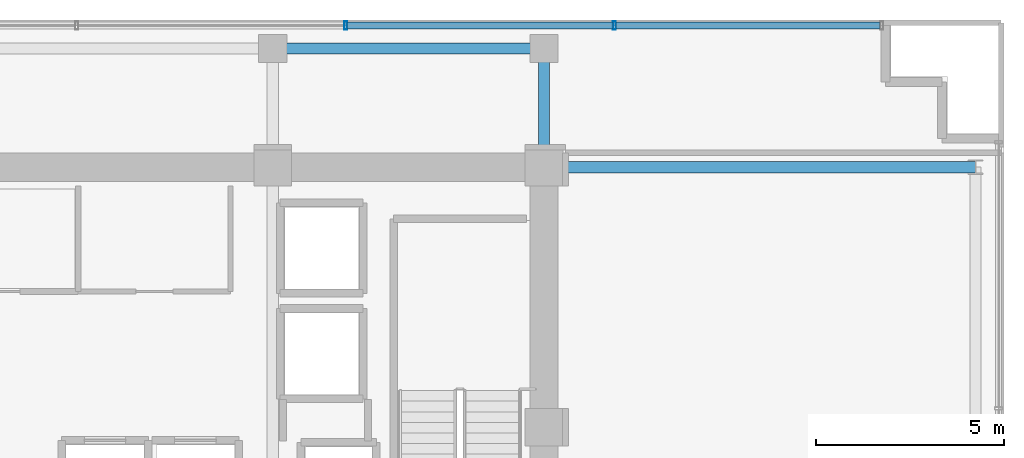
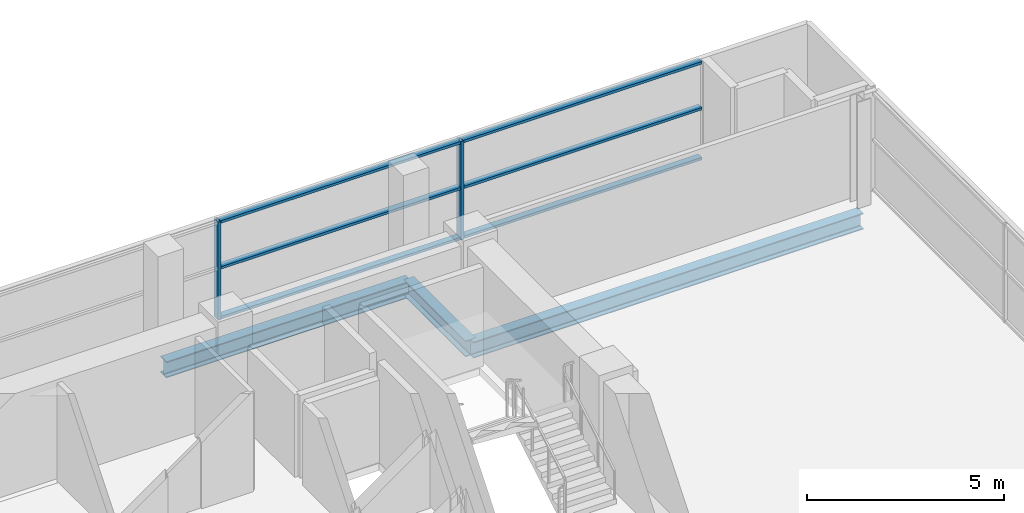
# One storey, part 12 of 22: 8 members, 3 beams, 1 element without a shape of its own.
"""IFC4 building model written with IfcOpenShell, lengths in metres."""

from ifc_helpers import new_model, si_unit, direction, frame, origin, origin_2d, place, context, subcontext, project, spatial, hollow_rectangle, i_section, extrude, source, transform, mapped, material, layer, layer_set, material_profile, profile_set, type_object, element, aggregate, save


model = new_model("IFC4")

# Units and contexts
model_context = context("Model", 3, precision=1e-05, world=origin(), true_north=direction((0.0, 1.0)))
body_context = subcontext(model_context, "Body", "Model", "MODEL_VIEW")
ifc_project = project(units=[si_unit("LENGTHUNIT", "METRE"), si_unit("AREAUNIT", "SQUARE_METRE"), si_unit("VOLUMEUNIT", "CUBIC_METRE"), si_unit("PLANEANGLEUNIT", "RADIAN"), si_unit("MASSUNIT", "GRAM", prefix="KILO")], contexts=[model_context])

# Site, building, storey
site_placement = place(None, origin())
site = spatial("IfcSite", under=ifc_project, at=site_placement, CompositionType="ELEMENT")
building_placement = place(site_placement, origin())
building = spatial("IfcBuilding", under=site, at=building_placement, Name="Zarnakvel Exchange Tower", CompositionType="ELEMENT")
storey_placement = place(building_placement, frame((0.0, 0.0, 179.199951171875)))
storey = spatial("IfcBuildingStorey", under=building, at=storey_placement, Name="L50", CompositionType="ELEMENT", Elevation=179.199951171875)

# Beams
ifc_material_1 = material(Name="Steel S355", Category="steel")
ifc_material_profile_1 = material_profile(ifc_material_1, i_section(OverallWidth=0.300048828125, OverallDepth=0.5, WebThickness=0.014404296875, FlangeThickness=0.028076171875, FilletRadius=0.027099609375, at=origin_2d()))
ifc_profile_set_1 = profile_set([ifc_material_profile_1], Name="Steel S355")
beam_type_1 = type_object("IfcBeamType", Name="G-06", PredefinedType="BEAM", material=ifc_profile_set_1)
beam_1_placement = place(storey_placement, frame((14.39990234375, 13.5, -0.474853515625), z_axis=(1.0, 0.0, 0.0), x_axis=(0.0, 1.0, 0.0)))
element("IfcBeam", 1, at=beam_1_placement, inside=storey, type_object=beam_type_1, Name="L50 Tower E-W Frame Beam", PredefinedType="BEAM", context=body_context, shape_type="SweptSolid", body=[
    extrude(i_section(OverallWidth=0.300048828125, OverallDepth=0.5, WebThickness=0.014404296875, FlangeThickness=0.028076171875, FilletRadius=0.027099609375, at=origin_2d()), origin(), (0.0, 0.0, 1.0), 11.4501953125),
])
beam_2_placement = place(storey_placement, frame((14.39990234375, 13.5, -0.474853515625), z_axis=(0.0, 1.0, 0.0), x_axis=(-1.0, 0.0, 0.0)))
element("IfcBeam", 2, at=beam_2_placement, inside=storey, type_object=beam_type_1, Name="L50 Tower N-S Frame Beam", PredefinedType="BEAM", context=body_context, shape_type="SweptSolid", body=[
    extrude(i_section(OverallWidth=0.300048828125, OverallDepth=0.5, WebThickness=0.014404296875, FlangeThickness=0.028076171875, FilletRadius=0.027099609375, at=origin_2d()), origin(), (0.0, 0.0, 1.0), 3.14990234375),
])
ifc_material_profile_2 = material_profile(ifc_material_1, i_section(OverallWidth=0.300048828125, OverallDepth=0.5, WebThickness=0.014404296875, FlangeThickness=0.028076171875, FilletRadius=0.027099609375, at=origin_2d()))
ifc_profile_set_2 = profile_set([ifc_material_profile_2], Name="Steel S355")
beam_type_2 = type_object("IfcBeamType", Name="SP-02", PredefinedType="SPANDREL", material=ifc_profile_set_2)
beam_3_placement = place(storey_placement, frame((7.199951171875, 16.64990234375, -0.474853515625), z_axis=(1.0, 0.0, 0.0), x_axis=(0.0, 1.0, 0.0)))
element("IfcBeam", 3, at=beam_3_placement, inside=storey, type_object=beam_type_2, Name="L50 Tower E-W Frame Beam", PredefinedType="SPANDREL", context=body_context, shape_type="SweptSolid", body=[
    extrude(i_section(OverallWidth=0.300048828125, OverallDepth=0.5, WebThickness=0.014404296875, FlangeThickness=0.028076171875, FilletRadius=0.027099609375, at=origin_2d()), origin(), (0.0, 0.0, 1.0), 7.199951171875),
])

# Curtain wall, members
ifc_material_2 = material(Name="Architectural Bronze Anodised Aluminium", Category="aluminium")
ifc_layer = layer(ifc_material_2, 0.219970703125)
ifc_layer_set = layer_set([ifc_layer], Name="Architectural Bronze Anodised Aluminium")
curtain_wall_type = type_object("IfcCurtainWallType", Name="CW-03", PredefinedType="NOTDEFINED", material=ifc_layer_set)
curtain_wall_placement = place(storey_placement, origin())
curtain_wall = element("IfcCurtainWall", 4, at=curtain_wall_placement, inside=storey, type_object=curtain_wall_type, Name="L50 Curtain Wall CW-L50-N1 (CW-03)", PredefinedType="NOTDEFINED")
ifc_material_profile_3 = material_profile(ifc_material_2, hollow_rectangle(XDim=0.219970703125, YDim=0.080078125, WallThickness=0.0048828125, at=origin_2d()))
ifc_profile_set_3 = profile_set([ifc_material_profile_3], Name="Architectural Bronze Anodised Aluminium")
member_type_1 = type_object("IfcMemberType", Name="CWM-03", PredefinedType="MULLION", material=ifc_profile_set_3)
shared_shape_1 = source(origin(), body_context, "Body", "SweptSolid", [
    extrude(hollow_rectangle(XDim=0.219970703125, YDim=0.080078125, WallThickness=0.0048828125, at=origin_2d()), origin(), (0.0, 0.0, 1.0), 3.054931640625),
])
member_1_placement = place(storey_placement, frame((9.13330078125, 17.260009765625, 0.0), z_axis=(0.0, 0.0, 1.0), x_axis=(0.0, 1.0, 0.0)))
member_1 = element("IfcMember", 5, at=member_1_placement, type_object=member_type_1, Name="CW-03 mullion 5", PredefinedType="MULLION", context=body_context, shape_type="MappedRepresentation", body=[
    mapped(shared_shape_1, transform((0.0, 0.0, 0.0), x_axis=(1.0, 0.0, 0.0), y_axis=(0.0, 1.0, 0.0), z_axis=(0.0, 0.0, 1.0), scale=1.0)),
])
member_2_placement = place(storey_placement, frame((16.2666015625, 17.260009765625, 0.0), z_axis=(0.0, 0.0, 1.0), x_axis=(0.0, 1.0, 0.0)))
member_2 = element("IfcMember", 6, at=member_2_placement, type_object=member_type_1, Name="CW-03 mullion 6", PredefinedType="MULLION", context=body_context, shape_type="MappedRepresentation", body=[
    mapped(shared_shape_1, transform((0.0, 0.0, 0.0), x_axis=(1.0, 0.0, 0.0), y_axis=(0.0, 1.0, 0.0), z_axis=(0.0, 0.0, 1.0), scale=1.0)),
])
ifc_material_profile_4 = material_profile(ifc_material_2, hollow_rectangle(XDim=0.179931640625, YDim=0.080078125, WallThickness=0.00390625, at=origin_2d()))
ifc_profile_set_4 = profile_set([ifc_material_profile_4], Name="Architectural Bronze Anodised Aluminium")
member_type_2 = type_object("IfcMemberType", Name="CWT-03", PredefinedType="USERDEFINED", material=ifc_profile_set_4)
shared_shape_2 = source(origin(), body_context, "Body", "SweptSolid", [
    extrude(hollow_rectangle(XDim=0.179931640625, YDim=0.080078125, WallThickness=0.00390625, at=origin_2d()), origin(), (0.0, 0.0, 1.0), 7.013427734375),
])
member_3_placement = place(storey_placement, frame((16.306640625, 17.260009765625, 0.0400390625), z_axis=(1.0, 0.0, 0.0), x_axis=(0.0, 1.0, 0.0)))
member_3 = element("IfcMember", 7, at=member_3_placement, type_object=member_type_2, Name="CW-03 transom 6.1", ObjectType="TRANSOM", PredefinedType="USERDEFINED", context=body_context, shape_type="MappedRepresentation", body=[
    mapped(shared_shape_2, transform((0.0, 0.0, 0.0), x_axis=(1.0, 0.0, 0.0), y_axis=(0.0, 1.0, 0.0), z_axis=(0.0, 0.0, 1.0), scale=1.0)),
])
member_4_placement = place(storey_placement, frame((16.306640625, 17.260009765625, 1.588623046875), z_axis=(1.0, 0.0, 0.0), x_axis=(0.0, 1.0, 0.0)))
member_4 = element("IfcMember", 8, at=member_4_placement, type_object=member_type_2, Name="CW-03 transom 6.2", ObjectType="TRANSOM", PredefinedType="USERDEFINED", context=body_context, shape_type="MappedRepresentation", body=[
    mapped(shared_shape_2, transform((0.0, 0.0, 0.0), x_axis=(1.0, 0.0, 0.0), y_axis=(0.0, 1.0, 0.0), z_axis=(0.0, 0.0, 1.0), scale=1.0)),
])
member_5_placement = place(storey_placement, frame((16.306640625, 17.260009765625, 3.01513671875), z_axis=(1.0, 0.0, 0.0), x_axis=(0.0, 1.0, 0.0)))
member_5 = element("IfcMember", 9, at=member_5_placement, type_object=member_type_2, Name="CW-03 transom 6.3", ObjectType="TRANSOM", PredefinedType="USERDEFINED", context=body_context, shape_type="MappedRepresentation", body=[
    mapped(shared_shape_2, transform((0.0, 0.0, 0.0), x_axis=(1.0, 0.0, 0.0), y_axis=(0.0, 1.0, 0.0), z_axis=(0.0, 0.0, 1.0), scale=1.0)),
])
shared_shape_3 = source(origin(), body_context, "Body", "SweptSolid", [
    extrude(hollow_rectangle(XDim=0.179931640625, YDim=0.080078125, WallThickness=0.00390625, at=origin_2d()), origin(), (0.0, 0.0, 1.0), 7.05322265625),
])
member_6_placement = place(storey_placement, frame((9.17333984375, 17.260009765625, 0.0400390625), z_axis=(1.0, 0.0, 0.0), x_axis=(0.0, 1.0, 0.0)))
member_6 = element("IfcMember", 10, at=member_6_placement, type_object=member_type_2, Name="CW-03 transom 5.1", ObjectType="TRANSOM", PredefinedType="USERDEFINED", context=body_context, shape_type="MappedRepresentation", body=[
    mapped(shared_shape_3, transform((0.0, 0.0, 0.0), x_axis=(1.0, 0.0, 0.0), y_axis=(0.0, 1.0, 0.0), z_axis=(0.0, 0.0, 1.0), scale=1.0)),
])
member_7_placement = place(storey_placement, frame((9.17333984375, 17.260009765625, 1.588623046875), z_axis=(1.0, 0.0, 0.0), x_axis=(0.0, 1.0, 0.0)))
member_7 = element("IfcMember", 11, at=member_7_placement, type_object=member_type_2, Name="CW-03 transom 5.2", ObjectType="TRANSOM", PredefinedType="USERDEFINED", context=body_context, shape_type="MappedRepresentation", body=[
    mapped(shared_shape_3, transform((0.0, 0.0, 0.0), x_axis=(1.0, 0.0, 0.0), y_axis=(0.0, 1.0, 0.0), z_axis=(0.0, 0.0, 1.0), scale=1.0)),
])
member_8_placement = place(storey_placement, frame((9.17333984375, 17.260009765625, 3.01513671875), z_axis=(1.0, 0.0, 0.0), x_axis=(0.0, 1.0, 0.0)))
member_8 = element("IfcMember", 12, at=member_8_placement, type_object=member_type_2, Name="CW-03 transom 5.3", ObjectType="TRANSOM", PredefinedType="USERDEFINED", context=body_context, shape_type="MappedRepresentation", body=[
    mapped(shared_shape_3, transform((0.0, 0.0, 0.0), x_axis=(1.0, 0.0, 0.0), y_axis=(0.0, 1.0, 0.0), z_axis=(0.0, 0.0, 1.0), scale=1.0)),
])
aggregate(curtain_wall, [member_1, member_2, member_6, member_7, member_8, member_3, member_4, member_5])

save(model, "model.ifc")
